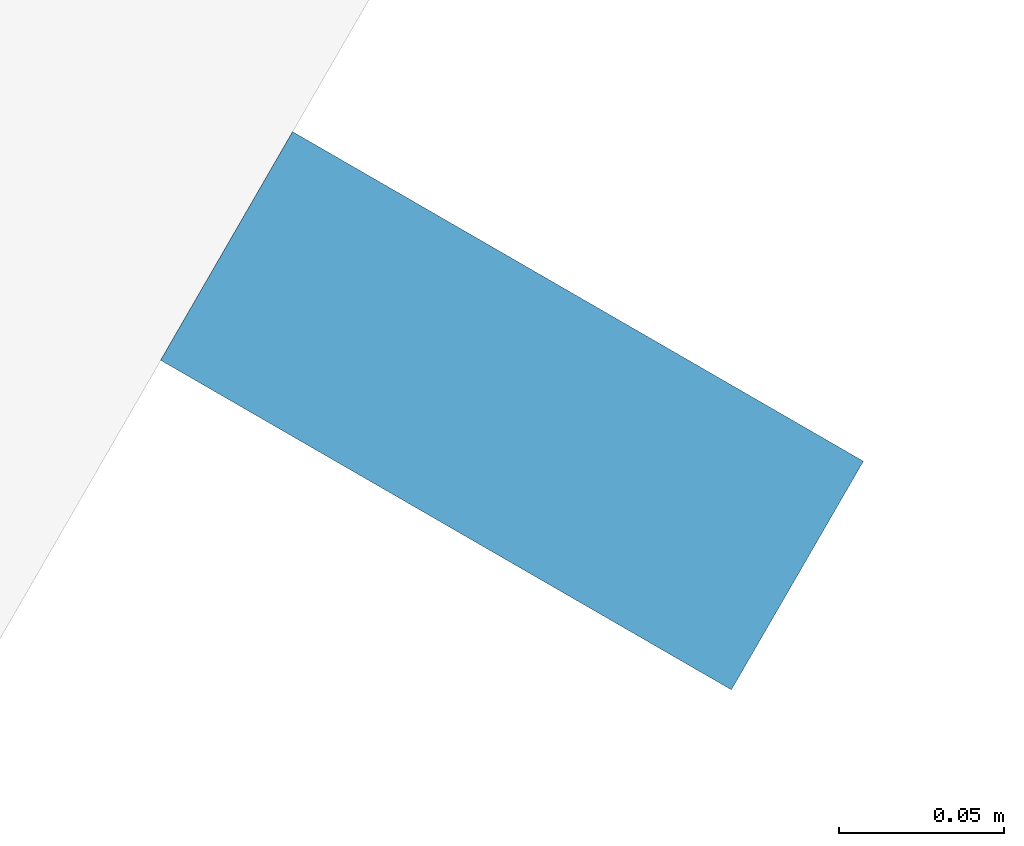
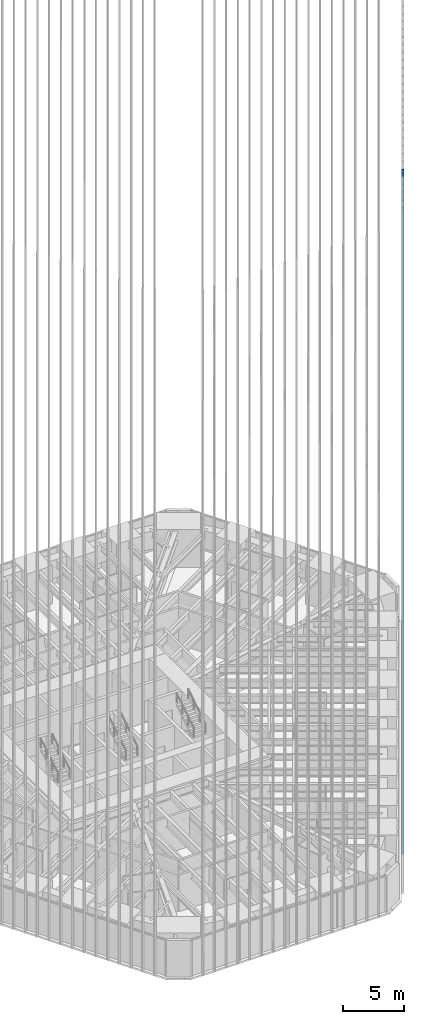
# One storey, part 87 of 256: 1 member, 1 element without a shape of its own.
"""IFC4 building model written with IfcOpenShell, lengths in metres."""

import ifcopenshell
import ifcopenshell.guid

model = None  # the IFC model being written
_history = None  # IfcOwnerHistory: only IFC2X3 demands one
_inside = {}  # id of a spatial element -> (the spatial element, [elements in it])
_under = {}  # id of a project, library or spatial element -> (it, [spatial elements below it])
_declared = {}  # id of a project -> (the project, [libraries it declares])
_typed = {}  # id of a type object -> (the type object, [elements of that type])
_made_of = {}  # id of a material, layer set ... -> (it, [elements and type objects made of it])


def new_model(schema):
    """Start an empty IFC model of exactly this schema.

    Asked for "IFC4X3", IfcOpenShell would pick the latest addendum, in which some entities
    have other attributes; the version numbers below select the first issue.
    IFC2X3 requires an IfcOwnerHistory on every rooted entity: one is made here for all.
    """
    global model, _history
    if schema == "IFC4X3":
        model = ifcopenshell.file(schema_version=(4, 3, 0, 0))
    else:
        model = ifcopenshell.file(schema=schema)
    _inside.clear()
    _under.clear()
    _declared.clear()
    _typed.clear()
    _made_of.clear()
    _history = None
    if model.schema == "IFC2X3":
        org = make("IfcOrganization", Name="unknown")
        user = make(
            "IfcPersonAndOrganization",
            ThePerson=make("IfcPerson", FamilyName="unknown"),
            TheOrganization=org,
        )
        app = make(
            "IfcApplication",
            ApplicationDeveloper=org,
            Version="unknown",
            ApplicationFullName="unknown",
            ApplicationIdentifier="unknown",
        )
        _history = make(
            "IfcOwnerHistory",
            OwningUser=user,
            OwningApplication=app,
            ChangeAction="ADDED",
            CreationDate=0,
        )
    return model


def make(cls, **values):
    """One entity of the class cls with the attributes given. An attribute that is None is left unset."""
    return model.create_entity(
        cls, **{name: value for name, value in values.items() if value is not None}
    )


def rooted(cls, **values):
    """An entity with a GlobalId (a new one), such as an element, a storey or a relation."""
    return make(cls, GlobalId=ifcopenshell.guid.new(), OwnerHistory=_history, **values)


def si_unit(unit_type, name, prefix=None):
    """IfcSIUnit, for example si_unit("LENGTHUNIT", "METRE", prefix="MILLI")."""
    return make("IfcSIUnit", UnitType=unit_type, Prefix=prefix, Name=name)


def assignment(units):
    """IfcUnitAssignment: the units of a project."""
    return None if units is None else make("IfcUnitAssignment", Units=units)


def point(xyz):
    """IfcCartesianPoint."""
    return None if xyz is None else make("IfcCartesianPoint", Coordinates=xyz)


def direction(xyz):
    """IfcDirection."""
    return None if xyz is None else make("IfcDirection", DirectionRatios=xyz)


def frame(location, z_axis=None, x_axis=None):
    """IfcAxis2Placement3D, a coordinate frame: its origin and axes. An axis left out is left unset."""
    return make(
        "IfcAxis2Placement3D",
        Location=point(location),
        Axis=direction(z_axis),
        RefDirection=direction(x_axis),
    )


def frame_2d(location, x_axis=None):
    """IfcAxis2Placement2D, a coordinate frame in the plane: its origin and x axis."""
    return make(
        "IfcAxis2Placement2D", Location=point(location), RefDirection=direction(x_axis)
    )


def origin():
    """The frame at (0, 0, 0) with its axes left unset."""
    return frame((0.0, 0.0, 0.0))


def origin_2d():
    """The frame at (0, 0) in the plane with its x axis left unset."""
    return frame_2d((0.0, 0.0))


def place(relative_to, where):
    """IfcLocalPlacement: puts the frame where relative to a parent placement (None: the world)."""
    return make(
        "IfcLocalPlacement", PlacementRelTo=relative_to, RelativePlacement=where
    )


def context(
    kind, dimensions, precision=None, world=None, true_north=None, identifier=None
):
    """IfcGeometricRepresentationContext, for example the 3D "Model" context."""
    return make(
        "IfcGeometricRepresentationContext",
        ContextIdentifier=identifier,
        ContextType=kind,
        CoordinateSpaceDimension=dimensions,
        Precision=precision,
        WorldCoordinateSystem=world,
        TrueNorth=true_north,
    )


def subcontext(parent, identifier, kind, view, scale=None):
    """IfcGeometricRepresentationSubContext, for example "Body" below "Model"."""
    return make(
        "IfcGeometricRepresentationSubContext",
        ContextIdentifier=identifier,
        ContextType=kind,
        ParentContext=parent,
        TargetScale=scale,
        TargetView=view,
    )


def project(units=None, contexts=None):
    """IfcProject with its units and contexts."""
    return rooted(
        "IfcProject",
        Name="project",
        RepresentationContexts=contexts,
        UnitsInContext=assignment(units),
    )


def spatial(cls, under=None, at=None, **own):
    """A site, building, storey or space (cls), placed at a placement, below another one or the project."""
    s = rooted(cls, ObjectPlacement=at, **own)
    if under is not None:
        _under.setdefault(under.id(), (under, []))[1].append(s)
    return s


def profile(cls, at=None, kind="AREA", **sizes):
    """A parametric profile (cls). Its sizes go by their IFC names, for example OverallWidth=200.0."""
    return make(cls, ProfileType=kind, Position=at, **sizes)


def rectangle(**sizes):
    """IfcRectangleProfileDef."""
    return profile("IfcRectangleProfileDef", **sizes)


def extrude(swept, where, along, depth):
    """IfcExtrudedAreaSolid: the profile swept, set in the frame where, extruded along a direction by depth."""
    return make(
        "IfcExtrudedAreaSolid",
        SweptArea=swept,
        Position=where,
        ExtrudedDirection=direction(along),
        Depth=depth,
    )


def shape(context_of_items, identifier, shape_type, items):
    """IfcShapeRepresentation: the items that make up one representation, for example the "Body"."""
    return make(
        "IfcShapeRepresentation",
        ContextOfItems=context_of_items,
        RepresentationIdentifier=identifier,
        RepresentationType=shape_type,
        Items=items,
    )


def material(Name=None, Category=None):
    """IfcMaterial."""
    return make("IfcMaterial", Name=Name, Category=Category)


def material_profile(
    of_material, cross_section, Name=None, Category=None, Priority=None
):
    """IfcMaterialProfile: a cross section and its material."""
    return make(
        "IfcMaterialProfile",
        Name=Name,
        Material=of_material,
        Profile=cross_section,
        Priority=Priority,
        Category=Category,
    )


def profile_set(profiles, Name=None, composite=None):
    """IfcMaterialProfileSet."""
    return make(
        "IfcMaterialProfileSet",
        Name=Name,
        MaterialProfiles=profiles,
        CompositeProfile=composite,
    )


def made_of(thing, what):
    """Note that an element or type object is made of a material, layer set ...; save() writes the relation."""
    if what is not None:
        _made_of.setdefault(what.id(), (what, []))[1].append(thing)
    return thing


def type_object(cls, material=None, **own):
    """A type object (cls), such as IfcWallType, which elements share."""
    return made_of(rooted(cls, **own), material)


def element(
    cls,
    number,
    at=None,
    inside=None,
    cuts=None,
    type_object=None,
    material=None,
    context=None,
    identifier="Body",
    shape_type=None,
    held_by="IfcProductDefinitionShape",
    body=None,
    shapes=None,
    **own,
):
    """One element of the class cls, such as IfcWall. Its Tag is "e" and its number.

    at: its placement. inside: the storey or other place that contains it. cuts: it is an
    opening in that element (IfcRelVoidsElement). A single representation is given by context,
    identifier, shape_type and body (its items); several are given by shapes. held_by: the class
    of the entity that holds the representations. save() writes the other relations.
    """
    e = rooted(cls, Tag="e%d" % number, ObjectPlacement=at, **own)
    if body is not None:
        shapes = [shape(context, identifier, shape_type, body)]
    if shapes is not None:
        e.Representation = make(held_by, Representations=shapes)
    if inside is not None:
        _inside.setdefault(inside.id(), (inside, []))[1].append(e)
    if cuts is not None:
        rooted(
            "IfcRelVoidsElement", RelatingBuildingElement=cuts, RelatedOpeningElement=e
        )
    if type_object is not None:
        _typed.setdefault(type_object.id(), (type_object, []))[1].append(e)
    return made_of(e, material)


def aggregate(whole, parts):
    """IfcRelAggregates: a whole, such as a stair, and the parts it consists of."""
    return rooted("IfcRelAggregates", RelatingObject=whole, RelatedObjects=parts)


def save(model, path):
    """Write the relations noted so far, then the file.

    IfcRelAggregates (storeys below a building ...), IfcRelContainedInSpatialStructure (elements
    in a storey), IfcRelDefinesByType, IfcRelAssociatesMaterial and IfcRelDeclares: one each for
    every whole, place, type object, material and project.
    """
    for whole, parts in _under.values():
        aggregate(whole, parts)
    for where, things in _inside.values():
        rooted(
            "IfcRelContainedInSpatialStructure",
            RelatedElements=things,
            RelatingStructure=where,
        )
    for kind, things in _typed.values():
        rooted("IfcRelDefinesByType", RelatedObjects=things, RelatingType=kind)
    for what, things in _made_of.values():
        rooted("IfcRelAssociatesMaterial", RelatedObjects=things, RelatingMaterial=what)
    for by, libraries in _declared.values():
        rooted("IfcRelDeclares", RelatingContext=by, RelatedDefinitions=libraries)
    model.write(path)


model = new_model("IFC4")

# Units and contexts
model_context = context("Model", 3, precision=1e-05, world=origin(), true_north=direction((0.0, 1.0)))
body_context = subcontext(model_context, "Body", "Model", "MODEL_VIEW")
ifc_project = project(units=[si_unit("LENGTHUNIT", "METRE"), si_unit("AREAUNIT", "SQUARE_METRE"), si_unit("VOLUMEUNIT", "CUBIC_METRE"), si_unit("PLANEANGLEUNIT", "RADIAN"), si_unit("MASSUNIT", "GRAM", prefix="KILO")], contexts=[model_context])

# Site, building, storey
site_placement = place(None, origin())
site = spatial("IfcSite", under=ifc_project, at=site_placement, CompositionType="ELEMENT")
building_placement = place(site_placement, origin())
building = spatial("IfcBuilding", under=site, at=building_placement, Name="Sandreach Pilgrim Tower", CompositionType="ELEMENT")
storey_placement = place(building_placement, frame((0.0, 0.0, 23.0)))
storey = spatial("IfcBuildingStorey", under=building, at=storey_placement, Name="L04", CompositionType="ELEMENT", Elevation=23.0)

# Curtain wall, member
ifc_material_1 = material(Name="Aluminium framed curtain wall", Category="aluminium")
curtain_wall_type = type_object("IfcCurtainWallType", Name="Hostel tower curtain wall", PredefinedType="NOTDEFINED", material=ifc_material_1)
curtain_wall_placement = place(storey_placement, origin())
curtain_wall = element("IfcCurtainWall", 1, at=curtain_wall_placement, inside=storey, type_object=curtain_wall_type, Name="CW-1 L04 SE", PredefinedType="NOTDEFINED")
ifc_material_2 = material(Name="Extruded terracotta on aluminium core", Category="masonry")
ifc_material_profile = material_profile(ifc_material_2, rectangle(XDim=0.080078125, YDim=0.199951171875, at=origin_2d()), Name="TBE 80X200")
ifc_profile_set = profile_set([ifc_material_profile], Name="Extruded terracotta on aluminium core")
member_type = type_object("IfcMemberType", Name="Terracotta baguette east", PredefinedType="USERDEFINED", material=ifc_profile_set)
member_placement = place(storey_placement, frame((14.4521484375, -23.665283203125, 0.0), z_axis=(0.0, 0.0, 1.0), x_axis=(-0.5, -0.866025403784, 0.0)))
member = element("IfcMember", 2, at=member_placement, type_object=member_type, Name="Baguette Z1 SE30", ObjectType="BAGUETTE", PredefinedType="USERDEFINED", context=body_context, shape_type="SweptSolid", body=[
    extrude(rectangle(XDim=0.080078125, YDim=0.199951171875, at=origin_2d()), origin(), (0.0, 0.0, 1.0), 68.239990234375),
])
aggregate(curtain_wall, [member])

save(model, "model.ifc")
